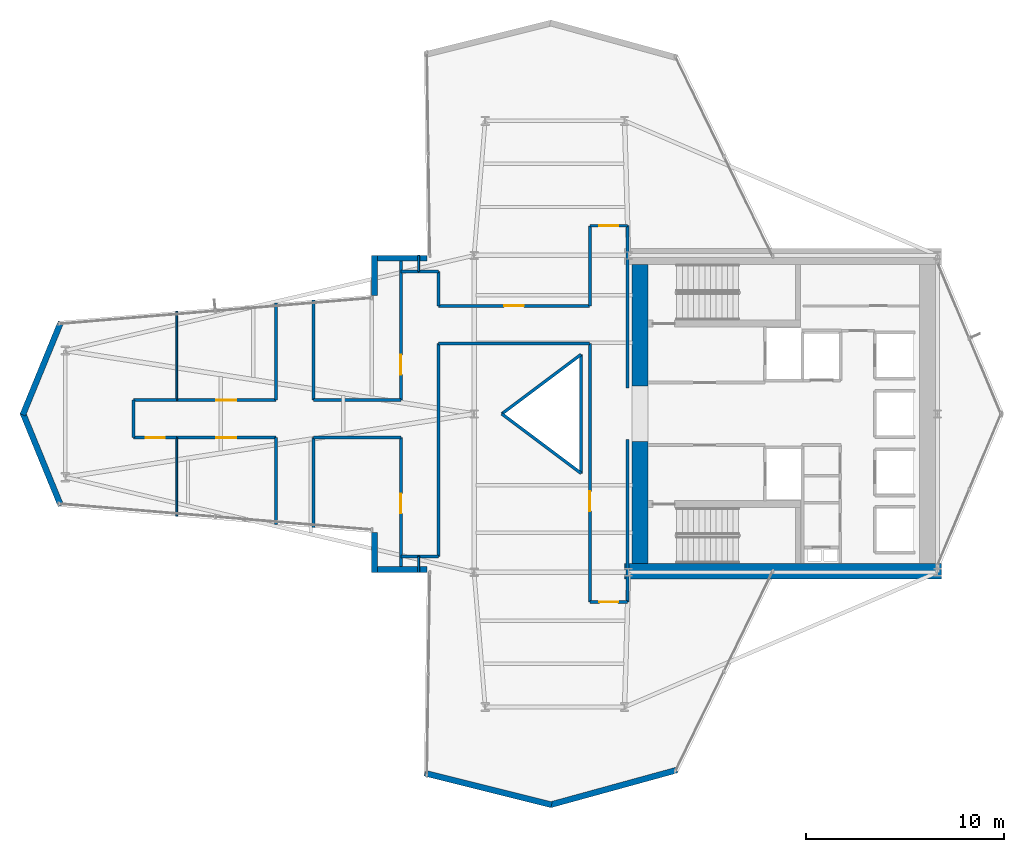
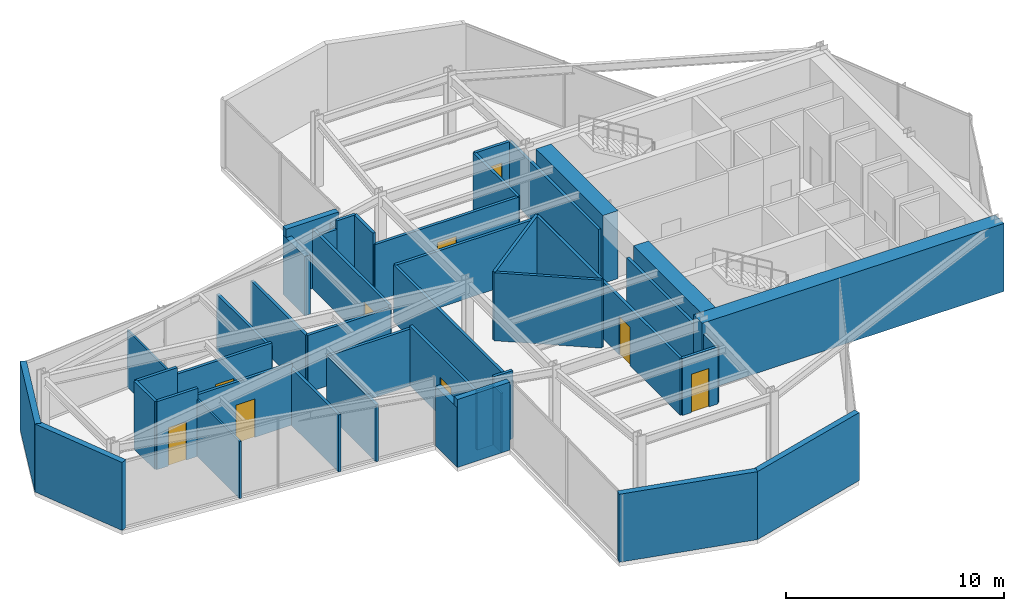
# One storey, part 22 of 25: 45 walls, 9 doors, 9 openings.
"""IFC4 building model written with IfcOpenShell, lengths in metres."""

from ifc_helpers import new_model, si_unit, direction, frame, frame_2d, origin, place, context, subcontext, project, spatial, rectangle, extrude, material, layer, layer_set, type_object, element, fill, save


model = new_model("IFC4")

# Units and contexts
model_context = context("Model", 3, precision=1e-05, world=origin(), true_north=direction((0.0, 1.0)))
body_context = subcontext(model_context, "Body", "Model", "MODEL_VIEW")
ifc_project = project(units=[si_unit("LENGTHUNIT", "METRE"), si_unit("AREAUNIT", "SQUARE_METRE"), si_unit("VOLUMEUNIT", "CUBIC_METRE"), si_unit("PLANEANGLEUNIT", "RADIAN"), si_unit("MASSUNIT", "GRAM", prefix="KILO")], contexts=[model_context])

# Site, building, storey
site_placement = place(None, origin())
site = spatial("IfcSite", under=ifc_project, at=site_placement, CompositionType="ELEMENT")
building_placement = place(site_placement, origin())
building = spatial("IfcBuilding", under=site, at=building_placement, Name="Veymaron Broadcast Tower", CompositionType="ELEMENT")
storey_placement = place(building_placement, frame((0.0, 0.0, 116.85009765625)))
storey = spatial("IfcBuildingStorey", under=building, at=storey_placement, Name="L26", CompositionType="ELEMENT", Elevation=116.85009765625)

# Walls
ifc_material_1 = material(Name="Precast concrete C40/50 with mineral-wool insulation", Category="concrete")
ifc_layer_1 = layer(ifc_material_1, 0.300048828125)
ifc_layer_set_1 = layer_set([ifc_layer_1], Name="Precast concrete C40/50 with mineral-wool insulation")
wall_type_1 = type_object("IfcWallType", Name="WALL-EXT-300", PredefinedType="STANDARD", material=ifc_layer_set_1)
wall_1_placement = place(storey_placement, frame((28.828369140625, 31.860107421875, 0.0), z_axis=(0.0, 0.0, 1.0), x_axis=(-1.0, 0.0, 0.0)))
element("IfcWall", 1, at=wall_1_placement, inside=storey, type_object=wall_type_1, Name="L26 notched corner facade pier 9-1", PredefinedType="STANDARD", context=body_context, shape_type="SweptSolid", body=[
    extrude(rectangle(XDim=2.788330078125, YDim=0.300048828125, at=frame_2d((1.39404296875, 0.0))), origin(), (0.0, 0.0, 1.0), 3.809814453125),
])
wall_2_placement = place(storey_placement, frame((26.179931640625, 32.0, 0.0), z_axis=(0.0, 0.0, 1.0), x_axis=(0.0, -1.0, 0.0)))
element("IfcWall", 2, at=wall_2_placement, inside=storey, type_object=wall_type_1, Name="L26 notched corner facade pier 10-1", PredefinedType="STANDARD", context=body_context, shape_type="SweptSolid", body=[
    extrude(rectangle(XDim=2.009521484375, YDim=0.300048828125, at=frame_2d((1.0048828125, 0.0))), origin(), (0.0, 0.0, 1.0), 3.337890625),
])
for number, where, z_axis, x_axis, name in (
    (3, (10.32958984375, 28.62548828125, 0.0), (0.0, 0.0, 1.0), (-0.379673954521, -0.925120364201, 0.0), "L26 notched corner facade pier 12-1"),
    (4, (8.409423828125, 24.05322265625, 0.0), (0.0, 0.0, 1.0), (0.379673954521, -0.925120364201, 0.0), "L26 notched corner facade pier 13-1"),
):
    element("IfcWall", number, at=place(storey_placement, frame(where, z_axis=z_axis, x_axis=x_axis)), inside=storey, type_object=wall_type_1, Name=name, PredefinedType="STANDARD", context=body_context, shape_type="SweptSolid", body=[
        extrude(rectangle(XDim=5.057373046875, YDim=0.300048828125, at=frame_2d((2.52880859375, 0.0))), origin(), (0.0, 0.0, 1.0), 3.809814453125),
    ])
wall_3_placement = place(storey_placement, frame((26.179931640625, 18.009521484375, 0.0), z_axis=(0.0, 0.0, 1.0), x_axis=(0.0, -1.0, 0.0)))
element("IfcWall", 5, at=wall_3_placement, inside=storey, type_object=wall_type_1, Name="L26 notched corner facade pier 15-1", PredefinedType="STANDARD", context=body_context, shape_type="SweptSolid", body=[
    extrude(rectangle(XDim=2.009521484375, YDim=0.300048828125, at=frame_2d((1.0048828125, 0.0))), origin(), (0.0, 0.0, 1.0), 3.337890625),
])
wall_4_placement = place(storey_placement, frame((26.0400390625, 16.139892578125, 0.0), z_axis=(0.0, 0.0, 1.0), x_axis=(1.0, 0.0, 0.0)))
element("IfcWall", 6, at=wall_4_placement, inside=storey, type_object=wall_type_1, Name="L26 notched corner facade pier 16-1", PredefinedType="STANDARD", context=body_context, shape_type="SweptSolid", body=[
    extrude(rectangle(XDim=2.788330078125, YDim=0.300048828125, at=frame_2d((1.39404296875, 0.0))), origin(), (0.0, 0.0, 1.0), 3.809814453125),
])
wall_5_placement = place(storey_placement, frame((28.711669921875, 5.855712890625, 0.0), z_axis=(0.0, 0.0, 1.0), x_axis=(0.970168608955, -0.242431165897, 0.0)))
element("IfcWall", 7, at=wall_5_placement, inside=storey, type_object=wall_type_1, Name="L26 notched corner facade pier 18-1", PredefinedType="STANDARD", context=body_context, shape_type="SweptSolid", body=[
    extrude(rectangle(XDim=6.59912109375, YDim=0.300048828125, at=frame_2d((3.299560546875, 0.0))), origin(), (0.0, 0.0, 1.0), 3.809814453125),
])
wall_6_placement = place(storey_placement, frame((35.04296875, 4.2548828125, 0.0), z_axis=(0.0, 0.0, 1.0), x_axis=(0.96422724659, 0.265077001894, 0.0)))
element("IfcWall", 8, at=wall_6_placement, inside=storey, type_object=wall_type_1, Name="L26 notched corner facade pier 19-1", PredefinedType="STANDARD", context=body_context, shape_type="SweptSolid", body=[
    extrude(rectangle(XDim=6.6396484375, YDim=0.300048828125, at=frame_2d((3.31982421875, 0.0))), origin(), (0.0, 0.0, 1.0), 3.809814453125),
])

# Wall, opening, door
ifc_material_2 = material(Name="Gypsum fireboard and steel stud framing", Category="steel")
ifc_layer_2 = layer(ifc_material_2, 0.14990234375)
ifc_layer_set_2 = layer_set([ifc_layer_2], Name="Gypsum fireboard and steel stud framing")
wall_type_2 = type_object("IfcWallType", Name="WALL-FIRE-150", PredefinedType="PARTITIONING", material=ifc_layer_set_2)
wall_7_placement = place(storey_placement, frame((37.050048828125, 14.5, 0.0), z_axis=(0.0, 0.0, 1.0), x_axis=(1.0, 0.0, 0.0)))
wall_7 = element("IfcWall", 9, at=wall_7_placement, inside=storey, type_object=wall_type_2, Name="L26 partition IW-L26-P03", PredefinedType="PARTITIONING", context=body_context, shape_type="SweptSolid", body=[
    extrude(rectangle(XDim=1.89990234375, YDim=0.14990234375, at=frame_2d((0.949951171875, 0.0))), origin(), (0.0, 0.0, 1.0), 3.18994140625),
])
opening_1_placement = place(wall_7_placement, frame((0.47509765625, 0.0, 0.0)))
opening_1 = element("IfcOpeningElement", 10, at=opening_1_placement, cuts=wall_7, Name="Opening ID-RM1", PredefinedType="OPENING", context=body_context, shape_type="SweptSolid", body=[
    extrude(rectangle(XDim=0.949951171875, YDim=2.14990234375, at=frame_2d((0.47509765625, 1.074951171875))), frame((0.0, 0.0849609375, 0.0), z_axis=(0.0, -1.0, 0.0), x_axis=(1.0, 0.0, 0.0)), (0.0, 0.0, 1.0), 0.169921875),
])
ifc_material_3 = material(Name="Acoustic solid-core European oak veneer timber", Category="wood")
door_type_1 = type_object("IfcDoorType", Name="DOOR-INT-950", OperationType="NOTDEFINED", PredefinedType="DOOR", material=ifc_material_3)
door_1_placement = place(opening_1_placement, frame((0.949951171875, 0.0, 0.0), z_axis=(0.0, 0.0, 1.0), x_axis=(-1.0, 0.0, 0.0)))
door_1 = element("IfcDoor", 11, at=door_1_placement, inside=storey, type_object=door_type_1, Name="L26 door DR-L26-P03", OperationType="SINGLE_SWING_RIGHT", OverallHeight=2.14990234375, OverallWidth=0.949951171875, PredefinedType="DOOR", context=body_context, shape_type="SweptSolid", body=[
    extrude(rectangle(XDim=0.949951171875, YDim=2.14990234375, at=frame_2d((0.47509765625, 1.074951171875))), frame((0.0, 0.02490234375, 0.0), z_axis=(0.0, -1.0, 0.0), x_axis=(1.0, 0.0, 0.0)), (0.0, 0.0, 1.0), 0.050048828125),
])
fill(opening_1, door_1)

wall_8_placement = place(storey_placement, frame((37.050048828125, 14.5, 0.0), z_axis=(0.0, 0.0, 1.0), x_axis=(0.0, 1.0, 0.0)))
wall_8 = element("IfcWall", 12, at=wall_8_placement, inside=storey, type_object=wall_type_2, Name="L26 partition IW-L26-P04", PredefinedType="PARTITIONING", context=body_context, shape_type="SweptSolid", body=[
    extrude(rectangle(XDim=13.050048828125, YDim=0.14990234375, at=frame_2d((6.52490234375, 0.0))), origin(), (0.0, 0.0, 1.0), 3.18994140625),
])
opening_2_placement = place(wall_8_placement, frame((4.5849609375, 0.0, 0.0)))
opening_2 = element("IfcOpeningElement", 13, at=opening_2_placement, cuts=wall_8, Name="Opening ID-RM3", PredefinedType="OPENING", context=body_context, shape_type="SweptSolid", body=[
    extrude(rectangle(XDim=1.0, YDim=2.14990234375, at=frame_2d((0.5, 1.074951171875))), frame((0.0, 0.0849609375, 0.0), z_axis=(0.0, -1.0, 0.0), x_axis=(1.0, 0.0, 0.0)), (0.0, 0.0, 1.0), 0.169921875),
])
door_type_2 = type_object("IfcDoorType", Name="DOOR-INT-1000", OperationType="NOTDEFINED", PredefinedType="DOOR", material=ifc_material_3)
door_2_placement = place(opening_2_placement, frame((1.0, 0.0, 0.0), z_axis=(0.0, 0.0, 1.0), x_axis=(-1.0, 0.0, 0.0)))
door_2 = element("IfcDoor", 14, at=door_2_placement, inside=storey, type_object=door_type_2, Name="L26 door DR-L26-P04", OperationType="SINGLE_SWING_LEFT", OverallHeight=2.14990234375, OverallWidth=1.0, PredefinedType="DOOR", context=body_context, shape_type="SweptSolid", body=[
    extrude(rectangle(XDim=1.0, YDim=2.14990234375, at=frame_2d((0.5, 1.074951171875))), frame((0.0, 0.02490234375, 0.0), z_axis=(0.0, -1.0, 0.0), x_axis=(1.0, 0.0, 0.0)), (0.0, 0.0, 1.0), 0.050048828125),
])
fill(opening_2, door_2)

wall_9_placement = place(storey_placement, frame((27.5, 16.139892578125, 0.0), z_axis=(0.0, 0.0, 1.0), x_axis=(0.0, 1.0, 0.0)))
wall_9 = element("IfcWall", 15, at=wall_9_placement, inside=storey, type_object=wall_type_2, Name="L26 partition IW-L26-P08", PredefinedType="PARTITIONING", context=body_context, shape_type="SweptSolid", body=[
    extrude(rectangle(XDim=6.66015625, YDim=0.14990234375, at=frame_2d((3.330078125, 0.0))), origin(), (0.0, 0.0, 1.0), 3.337890625),
])
opening_3_placement = place(wall_9_placement, frame((2.830078125, 0.0, 0.0)))
opening_3 = element("IfcOpeningElement", 16, at=opening_3_placement, cuts=wall_9, Name="Opening ID-RM3", PredefinedType="OPENING", context=body_context, shape_type="SweptSolid", body=[
    extrude(rectangle(XDim=1.0, YDim=2.14990234375, at=frame_2d((0.5, 1.074951171875))), frame((0.0, 0.0849609375, 0.0), z_axis=(0.0, -1.0, 0.0), x_axis=(1.0, 0.0, 0.0)), (0.0, 0.0, 1.0), 0.169921875),
])
door_3_placement = place(opening_3_placement, origin())
door_3 = element("IfcDoor", 17, at=door_3_placement, inside=storey, type_object=door_type_2, Name="L26 door DR-L26-P08", OperationType="SINGLE_SWING_LEFT", OverallHeight=2.14990234375, OverallWidth=1.0, PredefinedType="DOOR", context=body_context, shape_type="SweptSolid", body=[
    extrude(rectangle(XDim=1.0, YDim=2.14990234375, at=frame_2d((0.5, 1.074951171875))), frame((0.0, 0.02490234375, 0.0), z_axis=(0.0, -1.0, 0.0), x_axis=(1.0, 0.0, 0.0)), (0.0, 0.0, 1.0), 0.050048828125),
])
fill(opening_3, door_3)

wall_10_placement = place(storey_placement, frame((16.18603515625, 22.800048828125, 0.0), z_axis=(0.0, 0.0, 1.0), x_axis=(1.0, 0.0, 0.0)))
wall_10 = element("IfcWall", 18, at=wall_10_placement, inside=storey, type_object=wall_type_2, Name="L26 partition IW-L26-P12", PredefinedType="PARTITIONING", context=body_context, shape_type="SweptSolid", body=[
    extrude(rectangle(XDim=5.013916015625, YDim=0.14990234375, at=frame_2d((2.5068359375, 0.0))), origin(), (0.0, 0.0, 1.0), 3.44287109375),
])
opening_4_placement = place(wall_10_placement, frame((2.007080078125, 0.0, 0.0)))
opening_4 = element("IfcOpeningElement", 19, at=opening_4_placement, cuts=wall_10, Name="Opening ID-RM3", PredefinedType="OPENING", context=body_context, shape_type="SweptSolid", body=[
    extrude(rectangle(XDim=1.0, YDim=2.14990234375, at=frame_2d((0.5, 1.074951171875))), frame((0.0, 0.0849609375, 0.0), z_axis=(0.0, -1.0, 0.0), x_axis=(1.0, 0.0, 0.0)), (0.0, 0.0, 1.0), 0.169921875),
])
door_4_placement = place(opening_4_placement, frame((1.0, 0.0, 0.0), z_axis=(0.0, 0.0, 1.0), x_axis=(-1.0, 0.0, 0.0)))
door_4 = element("IfcDoor", 20, at=door_4_placement, inside=storey, type_object=door_type_2, Name="L26 door DR-L26-P12", OperationType="SINGLE_SWING_LEFT", OverallHeight=2.14990234375, OverallWidth=1.0, PredefinedType="DOOR", context=body_context, shape_type="SweptSolid", body=[
    extrude(rectangle(XDim=1.0, YDim=2.14990234375, at=frame_2d((0.5, 1.074951171875))), frame((0.0, 0.02490234375, 0.0), z_axis=(0.0, -1.0, 0.0), x_axis=(1.0, 0.0, 0.0)), (0.0, 0.0, 1.0), 0.050048828125),
])
fill(opening_4, door_4)

wall_11_placement = place(storey_placement, frame((14.0, 22.800048828125, 0.0), z_axis=(0.0, 0.0, 1.0), x_axis=(1.0, 0.0, 0.0)))
wall_11 = element("IfcWall", 21, at=wall_11_placement, inside=storey, type_object=wall_type_2, Name="L26 partition IW-L26-P14", PredefinedType="PARTITIONING", context=body_context, shape_type="SweptSolid", body=[
    extrude(rectangle(XDim=2.18603515625, YDim=0.14990234375, at=frame_2d((1.093017578125, 0.0))), origin(), (0.0, 0.0, 1.0), 3.809814453125),
])
opening_5_placement = place(wall_11_placement, frame((0.617919921875, 0.0, 0.0)))
opening_5 = element("IfcOpeningElement", 22, at=opening_5_placement, cuts=wall_11, Name="Opening ID-RM1", PredefinedType="OPENING", context=body_context, shape_type="SweptSolid", body=[
    extrude(rectangle(XDim=0.949951171875, YDim=2.14990234375, at=frame_2d((0.47509765625, 1.074951171875))), frame((0.0, 0.0849609375, 0.0), z_axis=(0.0, -1.0, 0.0), x_axis=(1.0, 0.0, 0.0)), (0.0, 0.0, 1.0), 0.169921875),
])
door_5_placement = place(opening_5_placement, frame((0.949951171875, 0.0, 0.0), z_axis=(0.0, 0.0, 1.0), x_axis=(-1.0, 0.0, 0.0)))
door_5 = element("IfcDoor", 23, at=door_5_placement, inside=storey, type_object=door_type_1, Name="L26 door DR-L26-P14", OperationType="SINGLE_SWING_LEFT", OverallHeight=2.14990234375, OverallWidth=0.949951171875, PredefinedType="DOOR", context=body_context, shape_type="SweptSolid", body=[
    extrude(rectangle(XDim=0.949951171875, YDim=2.14990234375, at=frame_2d((0.47509765625, 1.074951171875))), frame((0.0, 0.02490234375, 0.0), z_axis=(0.0, -1.0, 0.0), x_axis=(1.0, 0.0, 0.0)), (0.0, 0.0, 1.0), 0.050048828125),
])
fill(opening_5, door_5)

wall_12_placement = place(storey_placement, frame((16.18603515625, 24.699951171875, 0.0), z_axis=(0.0, 0.0, 1.0), x_axis=(1.0, 0.0, 0.0)))
wall_12 = element("IfcWall", 24, at=wall_12_placement, inside=storey, type_object=wall_type_2, Name="L26 partition IW-L26-P17", PredefinedType="PARTITIONING", context=body_context, shape_type="SweptSolid", body=[
    extrude(rectangle(XDim=5.013916015625, YDim=0.14990234375, at=frame_2d((2.5068359375, 0.0))), origin(), (0.0, 0.0, 1.0), 3.44287109375),
])
opening_6_placement = place(wall_12_placement, frame((2.007080078125, 0.0, 0.0)))
opening_6 = element("IfcOpeningElement", 25, at=opening_6_placement, cuts=wall_12, Name="Opening ID-RM3", PredefinedType="OPENING", context=body_context, shape_type="SweptSolid", body=[
    extrude(rectangle(XDim=1.0, YDim=2.14990234375, at=frame_2d((0.5, 1.074951171875))), frame((0.0, 0.0849609375, 0.0), z_axis=(0.0, -1.0, 0.0), x_axis=(1.0, 0.0, 0.0)), (0.0, 0.0, 1.0), 0.169921875),
])
door_6_placement = place(opening_6_placement, origin())
door_6 = element("IfcDoor", 26, at=door_6_placement, inside=storey, type_object=door_type_2, Name="L26 door DR-L26-P17", OperationType="SINGLE_SWING_RIGHT", OverallHeight=2.14990234375, OverallWidth=1.0, PredefinedType="DOOR", context=body_context, shape_type="SweptSolid", body=[
    extrude(rectangle(XDim=1.0, YDim=2.14990234375, at=frame_2d((0.5, 1.074951171875))), frame((0.0, 0.02490234375, 0.0), z_axis=(0.0, -1.0, 0.0), x_axis=(1.0, 0.0, 0.0)), (0.0, 0.0, 1.0), 0.050048828125),
])
fill(opening_6, door_6)

wall_13_placement = place(storey_placement, frame((27.5, 24.699951171875, 0.0), z_axis=(0.0, 0.0, 1.0), x_axis=(0.0, 1.0, 0.0)))
wall_13 = element("IfcWall", 27, at=wall_13_placement, inside=storey, type_object=wall_type_2, Name="L26 partition IW-L26-P19", PredefinedType="PARTITIONING", context=body_context, shape_type="SweptSolid", body=[
    extrude(rectangle(XDim=7.16015625, YDim=0.14990234375, at=frame_2d((3.580078125, 0.0))), origin(), (0.0, 0.0, 1.0), 3.337890625),
])
opening_7_placement = place(wall_13_placement, frame((1.280029296875, 0.0, 0.0)))
opening_7 = element("IfcOpeningElement", 28, at=opening_7_placement, cuts=wall_13, Name="Opening ID-RM3", PredefinedType="OPENING", context=body_context, shape_type="SweptSolid", body=[
    extrude(rectangle(XDim=1.0, YDim=2.14990234375, at=frame_2d((0.5, 1.074951171875))), frame((0.0, 0.0849609375, 0.0), z_axis=(0.0, -1.0, 0.0), x_axis=(1.0, 0.0, 0.0)), (0.0, 0.0, 1.0), 0.169921875),
])
door_7_placement = place(opening_7_placement, origin())
door_7 = element("IfcDoor", 29, at=door_7_placement, inside=storey, type_object=door_type_2, Name="L26 door DR-L26-P19", OperationType="SINGLE_SWING_RIGHT", OverallHeight=2.14990234375, OverallWidth=1.0, PredefinedType="DOOR", context=body_context, shape_type="SweptSolid", body=[
    extrude(rectangle(XDim=1.0, YDim=2.14990234375, at=frame_2d((0.5, 1.074951171875))), frame((0.0, 0.02490234375, 0.0), z_axis=(0.0, -1.0, 0.0), x_axis=(1.0, 0.0, 0.0)), (0.0, 0.0, 1.0), 0.050048828125),
])
fill(opening_7, door_7)

wall_14_placement = place(storey_placement, frame((29.39990234375, 29.449951171875, 0.0), z_axis=(0.0, 0.0, 1.0), x_axis=(1.0, 0.0, 0.0)))
wall_14 = element("IfcWall", 30, at=wall_14_placement, inside=storey, type_object=wall_type_2, Name="L26 partition IW-L26-P23", PredefinedType="PARTITIONING", context=body_context, shape_type="SweptSolid", body=[
    extrude(rectangle(XDim=7.628173828125, YDim=0.14990234375, at=frame_2d((3.81396484375, 0.0))), origin(), (0.0, 0.0, 1.0), 3.18994140625),
])
opening_8_placement = place(wall_14_placement, frame((3.31396484375, 0.0, 0.0)))
opening_8 = element("IfcOpeningElement", 31, at=opening_8_placement, cuts=wall_14, Name="Opening ID-RM3", PredefinedType="OPENING", context=body_context, shape_type="SweptSolid", body=[
    extrude(rectangle(XDim=1.0, YDim=2.14990234375, at=frame_2d((0.5, 1.074951171875))), frame((0.0, 0.0849609375, 0.0), z_axis=(0.0, -1.0, 0.0), x_axis=(1.0, 0.0, 0.0)), (0.0, 0.0, 1.0), 0.169921875),
])
door_8_placement = place(opening_8_placement, origin())
door_8 = element("IfcDoor", 32, at=door_8_placement, inside=storey, type_object=door_type_2, Name="L26 door DR-L26-P23", OperationType="SINGLE_SWING_RIGHT", OverallHeight=2.14990234375, OverallWidth=1.0, PredefinedType="DOOR", context=body_context, shape_type="SweptSolid", body=[
    extrude(rectangle(XDim=1.0, YDim=2.14990234375, at=frame_2d((0.5, 1.074951171875))), frame((0.0, 0.02490234375, 0.0), z_axis=(0.0, -1.0, 0.0), x_axis=(1.0, 0.0, 0.0)), (0.0, 0.0, 1.0), 0.050048828125),
])
fill(opening_8, door_8)

wall_15_placement = place(storey_placement, frame((37.050048828125, 33.5, 0.0), z_axis=(0.0, 0.0, 1.0), x_axis=(1.0, 0.0, 0.0)))
wall_15 = element("IfcWall", 33, at=wall_15_placement, inside=storey, type_object=wall_type_2, Name="L26 partition IW-L26-P29", PredefinedType="PARTITIONING", context=body_context, shape_type="SweptSolid", body=[
    extrude(rectangle(XDim=1.89990234375, YDim=0.14990234375, at=frame_2d((0.949951171875, 0.0))), origin(), (0.0, 0.0, 1.0), 3.18994140625),
])
opening_9_placement = place(wall_15_placement, frame((0.47509765625, 0.0, 0.0)))
opening_9 = element("IfcOpeningElement", 34, at=opening_9_placement, cuts=wall_15, Name="Opening ID-RM1", PredefinedType="OPENING", context=body_context, shape_type="SweptSolid", body=[
    extrude(rectangle(XDim=0.949951171875, YDim=2.14990234375, at=frame_2d((0.47509765625, 1.074951171875))), frame((0.0, 0.0849609375, 0.0), z_axis=(0.0, -1.0, 0.0), x_axis=(1.0, 0.0, 0.0)), (0.0, 0.0, 1.0), 0.169921875),
])
door_9_placement = place(opening_9_placement, origin())
door_9 = element("IfcDoor", 35, at=door_9_placement, inside=storey, type_object=door_type_1, Name="L26 door DR-L26-P29", OperationType="SINGLE_SWING_RIGHT", OverallHeight=2.14990234375, OverallWidth=0.949951171875, PredefinedType="DOOR", context=body_context, shape_type="SweptSolid", body=[
    extrude(rectangle(XDim=0.949951171875, YDim=2.14990234375, at=frame_2d((0.47509765625, 1.074951171875))), frame((0.0, 0.02490234375, 0.0), z_axis=(0.0, -1.0, 0.0), x_axis=(1.0, 0.0, 0.0)), (0.0, 0.0, 1.0), 0.050048828125),
])
fill(opening_9, door_9)

# Walls
wall_16_placement = place(storey_placement, frame((38.949951171875, 14.5, 0.0), z_axis=(0.0, 0.0, 1.0), x_axis=(0.0, 1.0, 0.0)))
element("IfcWall", 36, at=wall_16_placement, inside=storey, type_object=wall_type_2, Name="L26 partition IW-L26-P02", PredefinedType="PARTITIONING", context=body_context, shape_type="SweptSolid", body=[
    extrude(rectangle(XDim=8.199951171875, YDim=0.14990234375, at=frame_2d((4.10009765625, 0.0))), origin(), (0.0, 0.0, 1.0), 3.18994140625),
])
wall_17_placement = place(storey_placement, frame((29.39990234375, 16.800048828125, 0.0), z_axis=(0.0, 0.0, 1.0), x_axis=(0.0, 1.0, 0.0)))
element("IfcWall", 37, at=wall_17_placement, inside=storey, type_object=wall_type_2, Name="L26 partition IW-L26-P05", PredefinedType="PARTITIONING", context=body_context, shape_type="SweptSolid", body=[
    extrude(rectangle(XDim=10.75, YDim=0.14990234375, at=frame_2d((5.375, 0.0))), origin(), (0.0, 0.0, 1.0), 3.18994140625),
])
wall_18_placement = place(storey_placement, frame((29.39990234375, 27.550048828125, 0.0), z_axis=(0.0, 0.0, 1.0), x_axis=(1.0, 0.0, 0.0)))
element("IfcWall", 38, at=wall_18_placement, inside=storey, type_object=wall_type_2, Name="L26 partition IW-L26-P06", PredefinedType="PARTITIONING", context=body_context, shape_type="SweptSolid", body=[
    extrude(rectangle(XDim=7.628173828125, YDim=0.14990234375, at=frame_2d((3.81396484375, 0.0))), origin(), (0.0, 0.0, 1.0), 3.18994140625),
])
wall_19_placement = place(storey_placement, frame((28.404052734375, 16.800048828125, 0.0), z_axis=(0.0, 0.0, 1.0), x_axis=(1.0, 0.0, 0.0)))
element("IfcWall", 39, at=wall_19_placement, inside=storey, type_object=wall_type_2, Name="L26 partition IW-L26-P07", PredefinedType="PARTITIONING", context=body_context, shape_type="SweptSolid", body=[
    extrude(rectangle(XDim=0.995849609375, YDim=0.14990234375, at=frame_2d((0.498046875, 0.0))), origin(), (0.0, 0.0, 1.0), 3.809814453125),
])
wall_20_placement = place(storey_placement, frame((23.10009765625, 18.253173828125, 0.0), z_axis=(0.0, 0.0, 1.0), x_axis=(0.0, 1.0, 0.0)))
element("IfcWall", 40, at=wall_20_placement, inside=storey, type_object=wall_type_2, Name="L26 partition IW-L26-P09", PredefinedType="PARTITIONING", context=body_context, shape_type="SweptSolid", body=[
    extrude(rectangle(XDim=4.546875, YDim=0.14990234375, at=frame_2d((2.2734375, 0.0))), origin(), (0.0, 0.0, 1.0), 3.18994140625),
])
wall_21_placement = place(storey_placement, frame((23.10009765625, 22.800048828125, 0.0), z_axis=(0.0, 0.0, 1.0), x_axis=(1.0, 0.0, 0.0)))
element("IfcWall", 41, at=wall_21_placement, inside=storey, type_object=wall_type_2, Name="L26 partition IW-L26-P10", PredefinedType="PARTITIONING", context=body_context, shape_type="SweptSolid", body=[
    extrude(rectangle(XDim=4.39990234375, YDim=0.14990234375, at=frame_2d((2.199951171875, 0.0))), origin(), (0.0, 0.0, 1.0), 3.18994140625),
])
wall_22_placement = place(storey_placement, frame((27.5, 16.800048828125, 0.0), z_axis=(0.0, 0.0, 1.0), x_axis=(1.0, 0.0, 0.0)))
element("IfcWall", 42, at=wall_22_placement, inside=storey, type_object=wall_type_2, Name="L26 partition IW-L26-P11", PredefinedType="PARTITIONING", context=body_context, shape_type="SweptSolid", body=[
    extrude(rectangle(XDim=0.904052734375, YDim=0.14990234375, at=frame_2d((0.4521484375, 0.0))), origin(), (0.0, 0.0, 1.0), 3.337890625),
])
wall_23_placement = place(storey_placement, frame((21.199951171875, 18.410400390625, 0.0), z_axis=(0.0, 0.0, 1.0), x_axis=(0.0, 1.0, 0.0)))
element("IfcWall", 43, at=wall_23_placement, inside=storey, type_object=wall_type_2, Name="L26 partition IW-L26-P13", PredefinedType="PARTITIONING", context=body_context, shape_type="SweptSolid", body=[
    extrude(rectangle(XDim=4.3896484375, YDim=0.14990234375, at=frame_2d((2.19482421875, 0.0))), origin(), (0.0, 0.0, 1.0), 3.18994140625),
])
wall_24_placement = place(storey_placement, frame((14.0, 24.699951171875, 0.0), z_axis=(0.0, 0.0, 1.0), x_axis=(1.0, 0.0, 0.0)))
element("IfcWall", 44, at=wall_24_placement, inside=storey, type_object=wall_type_2, Name="L26 partition IW-L26-P15", PredefinedType="PARTITIONING", context=body_context, shape_type="SweptSolid", body=[
    extrude(rectangle(XDim=2.18603515625, YDim=0.14990234375, at=frame_2d((1.093017578125, 0.0))), origin(), (0.0, 0.0, 1.0), 3.809814453125),
])
wall_25_placement = place(storey_placement, frame((14.0, 22.800048828125, 0.0), z_axis=(0.0, 0.0, 1.0), x_axis=(0.0, 1.0, 0.0)))
element("IfcWall", 45, at=wall_25_placement, inside=storey, type_object=wall_type_2, Name="L26 partition IW-L26-P16", PredefinedType="PARTITIONING", context=body_context, shape_type="SweptSolid", body=[
    extrude(rectangle(XDim=1.89990234375, YDim=0.14990234375, at=frame_2d((0.949951171875, 0.0))), origin(), (0.0, 0.0, 1.0), 3.809814453125),
])
wall_26_placement = place(storey_placement, frame((21.199951171875, 24.699951171875, 0.0), z_axis=(0.0, 0.0, 1.0), x_axis=(0.0, 1.0, 0.0)))
element("IfcWall", 46, at=wall_26_placement, inside=storey, type_object=wall_type_2, Name="L26 partition IW-L26-P18", PredefinedType="PARTITIONING", context=body_context, shape_type="SweptSolid", body=[
    extrude(rectangle(XDim=4.8896484375, YDim=0.14990234375, at=frame_2d((2.44482421875, 0.0))), origin(), (0.0, 0.0, 1.0), 3.18994140625),
])
wall_27_placement = place(storey_placement, frame((23.10009765625, 24.699951171875, 0.0), z_axis=(0.0, 0.0, 1.0), x_axis=(0.0, 1.0, 0.0)))
element("IfcWall", 47, at=wall_27_placement, inside=storey, type_object=wall_type_2, Name="L26 partition IW-L26-P20", PredefinedType="PARTITIONING", context=body_context, shape_type="SweptSolid", body=[
    extrude(rectangle(XDim=5.046875, YDim=0.14990234375, at=frame_2d((2.5234375, 0.0))), origin(), (0.0, 0.0, 1.0), 3.18994140625),
])
wall_28_placement = place(storey_placement, frame((23.10009765625, 24.699951171875, 0.0), z_axis=(0.0, 0.0, 1.0), x_axis=(1.0, 0.0, 0.0)))
element("IfcWall", 48, at=wall_28_placement, inside=storey, type_object=wall_type_2, Name="L26 partition IW-L26-P21", PredefinedType="PARTITIONING", context=body_context, shape_type="SweptSolid", body=[
    extrude(rectangle(XDim=4.39990234375, YDim=0.14990234375, at=frame_2d((2.199951171875, 0.0))), origin(), (0.0, 0.0, 1.0), 3.18994140625),
])
wall_29_placement = place(storey_placement, frame((27.5, 31.199951171875, 0.0), z_axis=(0.0, 0.0, 1.0), x_axis=(1.0, 0.0, 0.0)))
element("IfcWall", 49, at=wall_29_placement, inside=storey, type_object=wall_type_2, Name="L26 partition IW-L26-P22", PredefinedType="PARTITIONING", context=body_context, shape_type="SweptSolid", body=[
    extrude(rectangle(XDim=0.904052734375, YDim=0.14990234375, at=frame_2d((0.4521484375, 0.0))), origin(), (0.0, 0.0, 1.0), 3.337890625),
])
wall_30_placement = place(storey_placement, frame((37.050048828125, 29.449951171875, 0.0), z_axis=(0.0, 0.0, 1.0), x_axis=(0.0, 1.0, 0.0)))
element("IfcWall", 50, at=wall_30_placement, inside=storey, type_object=wall_type_2, Name="L26 partition IW-L26-P24", PredefinedType="PARTITIONING", context=body_context, shape_type="SweptSolid", body=[
    extrude(rectangle(XDim=4.050048828125, YDim=0.14990234375, at=frame_2d((2.02490234375, 0.0))), origin(), (0.0, 0.0, 1.0), 3.18994140625),
])
wall_31_placement = place(storey_placement, frame((29.39990234375, 29.449951171875, 0.0), z_axis=(0.0, 0.0, 1.0), x_axis=(0.0, 1.0, 0.0)))
element("IfcWall", 51, at=wall_31_placement, inside=storey, type_object=wall_type_2, Name="L26 partition IW-L26-P25", PredefinedType="PARTITIONING", context=body_context, shape_type="SweptSolid", body=[
    extrude(rectangle(XDim=1.75, YDim=0.14990234375, at=frame_2d((0.875, 0.0))), origin(), (0.0, 0.0, 1.0), 3.809814453125),
])
wall_32_placement = place(storey_placement, frame((28.404052734375, 31.199951171875, 0.0), z_axis=(0.0, 0.0, 1.0), x_axis=(1.0, 0.0, 0.0)))
element("IfcWall", 52, at=wall_32_placement, inside=storey, type_object=wall_type_2, Name="L26 partition IW-L26-P26", PredefinedType="PARTITIONING", context=body_context, shape_type="SweptSolid", body=[
    extrude(rectangle(XDim=0.995849609375, YDim=0.14990234375, at=frame_2d((0.498046875, 0.0))), origin(), (0.0, 0.0, 1.0), 3.809814453125),
])
wall_33_placement = place(storey_placement, frame((38.949951171875, 25.300048828125, 0.0), z_axis=(0.0, 0.0, 1.0), x_axis=(0.0, 1.0, 0.0)))
element("IfcWall", 53, at=wall_33_placement, inside=storey, type_object=wall_type_2, Name="L26 partition IW-L26-P27", PredefinedType="PARTITIONING", context=body_context, shape_type="SweptSolid", body=[
    extrude(rectangle(XDim=8.199951171875, YDim=0.14990234375, at=frame_2d((4.10009765625, 0.0))), origin(), (0.0, 0.0, 1.0), 3.18994140625),
])
ifc_material_4 = material(Name="Fire-rated laminated glass in aluminium frame", Category="aluminium")
ifc_layer_3 = layer(ifc_material_4, 0.14990234375)
ifc_layer_set_3 = layer_set([ifc_layer_3], Name="Fire-rated laminated glass in aluminium frame")
wall_type_3 = type_object("IfcWallType", Name="WALL-GLZ-150", PredefinedType="MOVABLE", material=ifc_layer_set_3)
wall_34_placement = place(storey_placement, frame((32.60009765625, 24.0, 0.0), z_axis=(0.0, 0.0, 1.0), x_axis=(0.8, -0.6, 0.0)))
element("IfcWall", 54, at=wall_34_placement, inside=storey, type_object=wall_type_3, Name="L26 partition IW-L26-ATR1", PredefinedType="MOVABLE", context=body_context, shape_type="SweptSolid", body=[
    extrude(rectangle(XDim=5.0, YDim=0.14990234375, at=frame_2d((2.5, 0.0))), origin(), (0.0, 0.0, 1.0), 3.809814453125),
])
wall_35_placement = place(storey_placement, frame((36.60009765625, 21.0, 0.0), z_axis=(0.0, 0.0, 1.0), x_axis=(0.0, 1.0, 0.0)))
element("IfcWall", 55, at=wall_35_placement, inside=storey, type_object=wall_type_3, Name="L26 partition IW-L26-ATR2", PredefinedType="MOVABLE", context=body_context, shape_type="SweptSolid", body=[
    extrude(rectangle(XDim=6.0, YDim=0.14990234375, at=frame_2d((3.0, 0.0))), origin(), (0.0, 0.0, 1.0), 3.809814453125),
])
wall_36_placement = place(storey_placement, frame((36.60009765625, 27.0, 0.0), z_axis=(0.0, 0.0, 1.0), x_axis=(-0.8, -0.6, 0.0)))
element("IfcWall", 56, at=wall_36_placement, inside=storey, type_object=wall_type_3, Name="L26 partition IW-L26-ATR3", PredefinedType="MOVABLE", context=body_context, shape_type="SweptSolid", body=[
    extrude(rectangle(XDim=5.0, YDim=0.14990234375, at=frame_2d((2.5, 0.0))), origin(), (0.0, 0.0, 1.0), 3.809814453125),
])
ifc_material_5 = material(Name="Acoustic gypsum board and galvanized stud", Category="gypsum")
ifc_layer_4 = layer(ifc_material_5, 0.10009765625)
ifc_layer_set_4 = layer_set([ifc_layer_4], Name="Acoustic gypsum board and galvanized stud")
wall_type_4 = type_object("IfcWallType", Name="WALL-PART-100", PredefinedType="PARTITIONING", material=ifc_layer_set_4)
wall_37_placement = place(storey_placement, frame((28.404052734375, 16.0, 0.0), z_axis=(0.0, 0.0, 1.0), x_axis=(0.0, 1.0, 0.0)))
element("IfcWall", 57, at=wall_37_placement, inside=storey, type_object=wall_type_4, Name="L26 partition IW-L26-P31", PredefinedType="PARTITIONING", context=body_context, shape_type="SweptSolid", body=[
    extrude(rectangle(XDim=0.800048828125, YDim=0.10009765625, at=frame_2d((0.39990234375, 0.0))), origin(), (0.0, 0.0, 1.0), 3.337890625),
])
wall_38_placement = place(storey_placement, frame((16.18603515625, 18.82568359375, 0.0), z_axis=(0.0, 0.0, 1.0), x_axis=(0.0, 1.0, 0.0)))
element("IfcWall", 58, at=wall_38_placement, inside=storey, type_object=wall_type_4, Name="L26 partition IW-L26-P32", PredefinedType="PARTITIONING", context=body_context, shape_type="SweptSolid", body=[
    extrude(rectangle(XDim=3.974365234375, YDim=0.10009765625, at=frame_2d((1.9873046875, 0.0))), origin(), (0.0, 0.0, 1.0), 3.18994140625),
])
wall_39_placement = place(storey_placement, frame((16.18603515625, 24.699951171875, 0.0), z_axis=(0.0, 0.0, 1.0), x_axis=(0.0, 1.0, 0.0)))
element("IfcWall", 59, at=wall_39_placement, inside=storey, type_object=wall_type_4, Name="L26 partition IW-L26-P33", PredefinedType="PARTITIONING", context=body_context, shape_type="SweptSolid", body=[
    extrude(rectangle(XDim=4.474365234375, YDim=0.10009765625, at=frame_2d((2.2373046875, 0.0))), origin(), (0.0, 0.0, 1.0), 3.18994140625),
])
wall_40_placement = place(storey_placement, frame((28.404052734375, 31.199951171875, 0.0), z_axis=(0.0, 0.0, 1.0), x_axis=(0.0, 1.0, 0.0)))
element("IfcWall", 60, at=wall_40_placement, inside=storey, type_object=wall_type_4, Name="L26 partition IW-L26-P34", PredefinedType="PARTITIONING", context=body_context, shape_type="SweptSolid", body=[
    extrude(rectangle(XDim=0.800048828125, YDim=0.10009765625, at=frame_2d((0.39990234375, 0.0))), origin(), (0.0, 0.0, 1.0), 3.337890625),
])
ifc_material_6 = material(Name="Concrete C60/75", Category="concrete")
ifc_layer_5 = layer(ifc_material_6, 0.800048828125)
ifc_layer_set_5 = layer_set([ifc_layer_5], Name="Concrete C60/75")
wall_type_5 = type_object("IfcWallType", Name="WALL-SHEAR-800", PredefinedType="SHEAR", material=ifc_layer_set_5)
wall_41_placement = place(storey_placement, frame((38.800048828125, 16.050048828125, 0.0), z_axis=(0.0, 0.0, 1.0), x_axis=(1.0, 0.0, 0.0)))
element("IfcWall", 61, at=wall_41_placement, inside=storey, type_object=wall_type_5, Name="L26 Core Wall south shear", PredefinedType="SHEAR", context=body_context, shape_type="SweptSolid", body=[
    extrude(rectangle(XDim=16.0, YDim=0.800048828125, at=frame_2d((8.0, 0.0))), origin(), (0.0, 0.0, 1.0), 3.809814453125),
])
for number, where, z_axis, x_axis, name in (
    (62, (39.580078125, 16.449951171875, 0.0), (0.0, 0.0, 1.0), (0.0, 1.0, 0.0), "L26 Core Wall west-south shear"),
    (63, (39.580078125, 25.39990234375, 0.0), (0.0, 0.0, 1.0), (0.0, 1.0, 0.0), "L26 Core Wall west-north shear"),
):
    element("IfcWall", number, at=place(storey_placement, frame(where, z_axis=z_axis, x_axis=x_axis)), inside=storey, type_object=wall_type_5, Name=name, PredefinedType="SHEAR", context=body_context, shape_type="SweptSolid", body=[
        extrude(rectangle(XDim=6.150146484375, YDim=0.800048828125, at=frame_2d((3.0751953125, 0.0))), origin(), (0.0, 0.0, 1.0), 3.809814453125),
    ])

save(model, "model.ifc")
